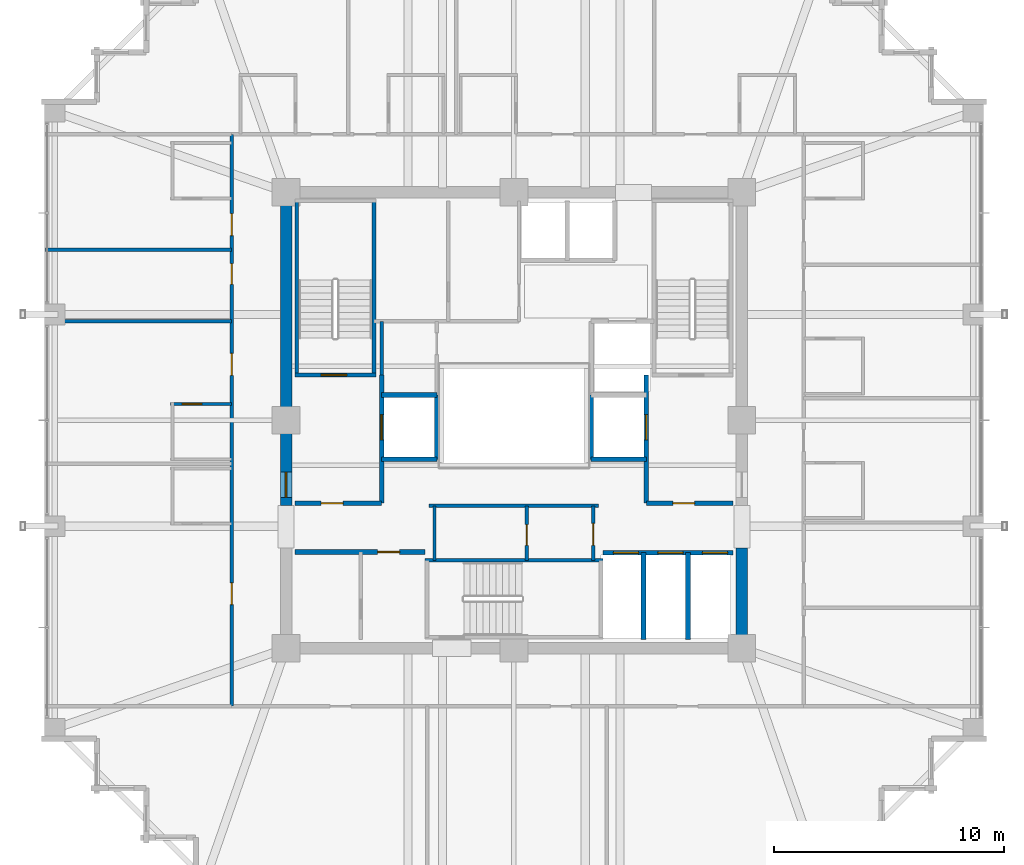
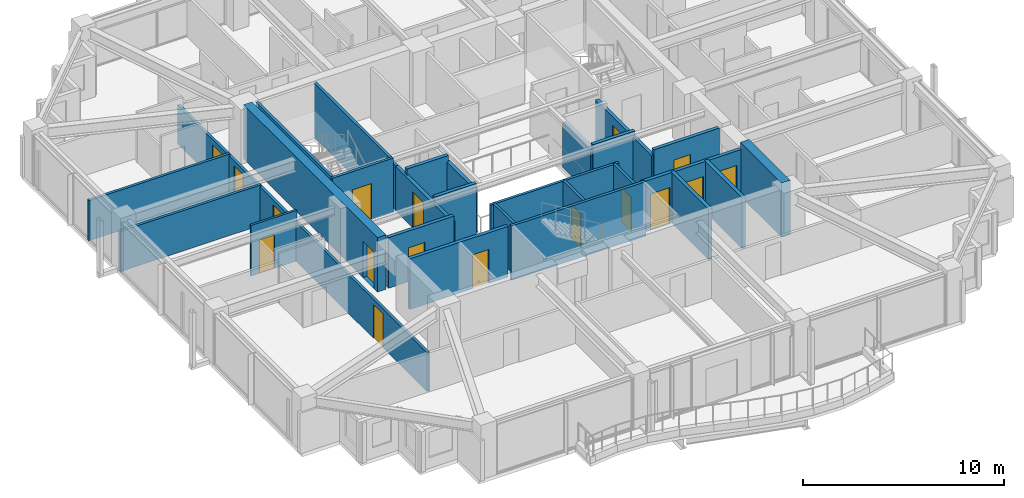
# One storey, part 32 of 37: 28 walls, 17 doors, 17 openings.
"""IFC4 building model written with IfcOpenShell, lengths in metres."""

from ifc_helpers import new_model, si_unit, direction, frame, frame_2d, origin, place, context, subcontext, project, spatial, rectangle, extrude, material, layer, layer_set, type_object, element, fill, save


model = new_model("IFC4")

# Units and contexts
model_context = context("Model", 3, precision=1e-05, world=origin(), true_north=direction((0.0, 1.0)))
body_context = subcontext(model_context, "Body", "Model", "MODEL_VIEW")
ifc_project = project(units=[si_unit("LENGTHUNIT", "METRE"), si_unit("AREAUNIT", "SQUARE_METRE"), si_unit("VOLUMEUNIT", "CUBIC_METRE"), si_unit("PLANEANGLEUNIT", "RADIAN"), si_unit("MASSUNIT", "GRAM", prefix="KILO")], contexts=[model_context])

# Site, building, storey
site_placement = place(None, origin())
site = spatial("IfcSite", under=ifc_project, at=site_placement, CompositionType="ELEMENT")
building_placement = place(site_placement, origin())
building = spatial("IfcBuilding", under=site, at=building_placement, Name="Kolvaren Belvedere", CompositionType="ELEMENT")
storey_placement = place(building_placement, frame((0.0, 0.0, 180.0)))
storey = spatial("IfcBuildingStorey", under=building, at=storey_placement, Name="L52", CompositionType="ELEMENT", Elevation=180.0)

# Wall
ifc_material_1 = material(Name="Concrete C50/60", Category="concrete")
ifc_layer_1 = layer(ifc_material_1, 0.5)
ifc_layer_set_1 = layer_set([ifc_layer_1], Name="Concrete C50/60")
wall_type_1 = type_object("IfcWallType", Name="CW-CORE-500", PredefinedType="SHEAR", material=ifc_layer_set_1)
wall_1_placement = place(storey_placement, frame((9.89990234375, -9.64990234375, 0.0), z_axis=(0.0, 0.0, 1.0), x_axis=(0.0, 1.0, 0.0)))
element("IfcWall", 1, at=wall_1_placement, inside=storey, type_object=wall_type_1, Name="L52 East Core Shear Wall 1", PredefinedType="SHEAR", context=body_context, shape_type="SweptSolid", body=[
    extrude(rectangle(XDim=4.099853515625, YDim=0.5, at=frame_2d((2.0498046875, 0.0))), origin(), (0.0, 0.0, 1.0), 3.300048828125),
])

# Wall, opening, door
wall_2_placement = place(storey_placement, frame((-9.89990234375, -3.699951171875, 0.0), z_axis=(0.0, 0.0, 1.0), x_axis=(0.0, 1.0, 0.0)))
wall_2 = element("IfcWall", 2, at=wall_2_placement, inside=storey, type_object=wall_type_1, Name="L52 West Core Shear Wall 2", PredefinedType="SHEAR", context=body_context, shape_type="SweptSolid", body=[
    extrude(rectangle(XDim=13.349853515625, YDim=0.5, at=frame_2d((6.6748046875, 0.0))), origin(), (0.0, 0.0, 1.0), 3.300048828125),
])
opening_1_placement = place(wall_2_placement, frame((0.35009765625, 0.0, 0.0)))
opening_1 = element("IfcOpeningElement", 3, at=opening_1_placement, cuts=wall_2, Name="Opening D-FD90", PredefinedType="OPENING", context=body_context, shape_type="SweptSolid", body=[
    extrude(rectangle(XDim=1.10009765625, YDim=2.199951171875, at=frame_2d((0.550048828125, 1.10009765625))), frame((0.0, 0.260009765625, 0.0), z_axis=(0.0, -1.0, 0.0), x_axis=(1.0, 0.0, 0.0)), (0.0, 0.0, 1.0), 0.52001953125),
])
ifc_material_2 = material(Name="Painted hollow stainless steel", Category="steel")
door_type_1 = type_object("IfcDoorType", Name="DR-FD90-1100", OperationType="NOTDEFINED", PredefinedType="DOOR", material=ifc_material_2)
door_1_placement = place(opening_1_placement, origin())
door_1 = element("IfcDoor", 4, at=door_1_placement, inside=storey, type_object=door_type_1, Name="L52 West Firefighting Lobby Fire Door", OperationType="SINGLE_SWING_LEFT", OverallHeight=2.199951171875, OverallWidth=1.10009765625, PredefinedType="DOOR", context=body_context, shape_type="SweptSolid", body=[
    extrude(rectangle(XDim=1.10009765625, YDim=2.199951171875, at=frame_2d((0.550048828125, 1.10009765625))), frame((0.0, 0.02490234375, 0.0), z_axis=(0.0, -1.0, 0.0), x_axis=(1.0, 0.0, 0.0)), (0.0, 0.0, 1.0), 0.050048828125),
])
fill(opening_1, door_1)

ifc_material_3 = material(Name="Concrete C50/60", Category="concrete")
ifc_layer_2 = layer(ifc_material_3, 0.159912109375)
ifc_layer_set_2 = layer_set([ifc_layer_2], Name="Concrete C50/60")
wall_type_2 = type_object("IfcWallType", Name="CW-STAIR-160", PredefinedType="SHEAR", material=ifc_layer_set_2)
wall_3_placement = place(storey_placement, frame((-9.52001953125, 1.969970703125, 0.0), z_axis=(0.0, 0.0, 1.0), x_axis=(1.0, 0.0, 0.0)))
wall_3 = element("IfcWall", 5, at=wall_3_placement, inside=storey, type_object=wall_type_2, Name="L52 Stair ST-1 South Shear Wall", PredefinedType="SHEAR", context=body_context, shape_type="SweptSolid", body=[
    extrude(rectangle(XDim=3.52001953125, YDim=0.159912109375, at=frame_2d((1.760009765625, 0.0))), origin(), (0.0, 0.0, 1.0), 3.300048828125),
])
opening_2_placement = place(wall_3_placement, frame((1.14990234375, 0.0, 0.0)))
opening_2 = element("IfcOpeningElement", 6, at=opening_2_placement, cuts=wall_3, Name="Opening D-FD90", PredefinedType="OPENING", context=body_context, shape_type="SweptSolid", body=[
    extrude(rectangle(XDim=1.10009765625, YDim=2.199951171875, at=frame_2d((0.550048828125, 1.10009765625))), frame((0.0, 0.08984375, 0.0), z_axis=(0.0, -1.0, 0.0), x_axis=(1.0, 0.0, 0.0)), (0.0, 0.0, 1.0), 0.179931640625),
])
door_2_placement = place(opening_2_placement, origin())
door_2 = element("IfcDoor", 7, at=door_2_placement, inside=storey, type_object=door_type_1, Name="L52 Stair ST-1 Fire Door", OperationType="SINGLE_SWING_LEFT", OverallHeight=2.199951171875, OverallWidth=1.10009765625, PredefinedType="DOOR", context=body_context, shape_type="SweptSolid", body=[
    extrude(rectangle(XDim=1.10009765625, YDim=2.199951171875, at=frame_2d((0.550048828125, 1.10009765625))), frame((0.0, 0.02490234375, 0.0), z_axis=(0.0, -1.0, 0.0), x_axis=(1.0, 0.0, 0.0)), (0.0, 0.0, 1.0), 0.050048828125),
])
fill(opening_2, door_2)

# Walls
for number, where, z_axis, x_axis, name in (
    (8, (-9.429931640625, 1.969970703125, 0.0), (0.0, 0.0, 1.0), (0.0, 1.0, 0.0), "L52 Stair ST-1 West Shear Wall"),
    (9, (-6.080078125, 1.969970703125, 0.0), (0.0, 0.0, 1.0), (0.0, 1.0, 0.0), "L52 Stair ST-1 East Shear Wall"),
):
    element("IfcWall", number, at=place(storey_placement, frame(where, z_axis=z_axis, x_axis=x_axis)), inside=storey, type_object=wall_type_2, Name=name, PredefinedType="SHEAR", context=body_context, shape_type="SweptSolid", body=[
        extrude(rectangle(XDim=7.56005859375, YDim=0.159912109375, at=frame_2d((3.780029296875, 0.0))), origin(), (0.0, 0.0, 1.0), 3.300048828125),
    ])
wall_4_placement = place(storey_placement, frame((-3.860107421875, -6.080078125, 0.0), z_axis=(0.0, 0.0, 1.0), x_axis=(1.0, 0.0, 0.0)))
element("IfcWall", 10, at=wall_4_placement, inside=storey, type_object=wall_type_2, Name="L52 Stair ST-3 North Shear Wall", PredefinedType="SHEAR", context=body_context, shape_type="SweptSolid", body=[
    extrude(rectangle(XDim=7.72021484375, YDim=0.159912109375, at=frame_2d((3.860107421875, 0.0))), origin(), (0.0, 0.0, 1.0), 3.300048828125),
])

# Wall, openings, doors
ifc_material_4 = material(Name="Gypsum fire-rated partition assembly", Category="gypsum")
ifc_layer_3 = layer(ifc_material_4, 0.14990234375)
ifc_layer_set_3 = layer_set([ifc_layer_3], Name="Gypsum fire-rated partition assembly")
wall_type_3 = type_object("IfcWallType", Name="WL-CORR-150", PredefinedType="PARTITIONING", material=ifc_layer_set_3)
wall_5_placement = place(storey_placement, frame((-12.260009765625, -12.419921875, 0.0), z_axis=(0.0, 0.0, 1.0), x_axis=(0.0, 1.0, 0.0)))
wall_5 = element("IfcWall", 11, at=wall_5_placement, inside=storey, type_object=wall_type_3, Name="L52 West Corridor Wall", PredefinedType="PARTITIONING", context=body_context, shape_type="SweptSolid", body=[
    extrude(rectangle(XDim=24.83984375, YDim=0.14990234375, at=frame_2d((12.419921875, 0.0))), origin(), (0.0, 0.0, 1.0), 2.368896484375),
])
opening_3_placement = place(wall_5_placement, frame((4.409912109375, 0.0, 0.0)))
opening_3 = element("IfcOpeningElement", 12, at=opening_3_placement, cuts=wall_5, Name="Opening D-FD60", PredefinedType="OPENING", context=body_context, shape_type="SweptSolid", body=[
    extrude(rectangle(XDim=0.949951171875, YDim=2.06005859375, at=frame_2d((0.47509765625, 1.030029296875))), frame((0.0, 0.0849609375, 0.0), z_axis=(0.0, -1.0, 0.0), x_axis=(1.0, 0.0, 0.0)), (0.0, 0.0, 1.0), 0.169921875),
])
opening_4_placement = place(wall_5_placement, frame((14.37451171875, 0.0, 0.0)))
opening_4 = element("IfcOpeningElement", 13, at=opening_4_placement, cuts=wall_5, Name="Opening D-FD60", PredefinedType="OPENING", context=body_context, shape_type="SweptSolid", body=[
    extrude(rectangle(XDim=0.949951171875, YDim=2.06005859375, at=frame_2d((0.47509765625, 1.030029296875))), frame((0.0, 0.0849609375, 0.0), z_axis=(0.0, -1.0, 0.0), x_axis=(1.0, 0.0, 0.0)), (0.0, 0.0, 1.0), 0.169921875),
])
opening_5_placement = place(wall_5_placement, frame((18.322021484375, 0.0, 0.0)))
opening_5 = element("IfcOpeningElement", 14, at=opening_5_placement, cuts=wall_5, Name="Opening D-INT90", PredefinedType="OPENING", context=body_context, shape_type="SweptSolid", body=[
    extrude(rectangle(XDim=0.89990234375, YDim=2.06005859375, at=frame_2d((0.449951171875, 1.030029296875))), frame((0.0, 0.0849609375, 0.0), z_axis=(0.0, -1.0, 0.0), x_axis=(1.0, 0.0, 0.0)), (0.0, 0.0, 1.0), 0.169921875),
])
opening_6_placement = place(wall_5_placement, frame((20.4423828125, 0.0, 0.0)))
opening_6 = element("IfcOpeningElement", 15, at=opening_6_placement, cuts=wall_5, Name="Opening D-FD60", PredefinedType="OPENING", context=body_context, shape_type="SweptSolid", body=[
    extrude(rectangle(XDim=0.949951171875, YDim=2.06005859375, at=frame_2d((0.47509765625, 1.030029296875))), frame((0.0, 0.0849609375, 0.0), z_axis=(0.0, -1.0, 0.0), x_axis=(1.0, 0.0, 0.0)), (0.0, 0.0, 1.0), 0.169921875),
])
ifc_material_5 = material(Name="Acoustic white-oak fire door leaf", Category="timber")
door_type_2 = type_object("IfcDoorType", Name="DR-FD60-950", OperationType="NOTDEFINED", PredefinedType="DOOR", material=ifc_material_5)
door_3_placement = place(opening_3_placement, origin())
door_3 = element("IfcDoor", 16, at=door_3_placement, inside=storey, type_object=door_type_2, Name="L52 King Guest Room 5209 Entry Door", OperationType="SINGLE_SWING_RIGHT", OverallHeight=2.06005859375, OverallWidth=0.949951171875, PredefinedType="DOOR", context=body_context, shape_type="SweptSolid", body=[
    extrude(rectangle(XDim=0.949951171875, YDim=2.06005859375, at=frame_2d((0.47509765625, 1.030029296875))), frame((0.0, 0.02490234375, 0.0), z_axis=(0.0, -1.0, 0.0), x_axis=(1.0, 0.0, 0.0)), (0.0, 0.0, 1.0), 0.050048828125),
])
fill(opening_3, door_3)
door_4_placement = place(opening_4_placement, origin())
door_4 = element("IfcDoor", 17, at=door_4_placement, inside=storey, type_object=door_type_2, Name="L52 Botanical Hospitality Suite 5210 Entry Door", OperationType="SINGLE_SWING_RIGHT", OverallHeight=2.06005859375, OverallWidth=0.949951171875, PredefinedType="DOOR", context=body_context, shape_type="SweptSolid", body=[
    extrude(rectangle(XDim=0.949951171875, YDim=2.06005859375, at=frame_2d((0.47509765625, 1.030029296875))), frame((0.0, 0.02490234375, 0.0), z_axis=(0.0, -1.0, 0.0), x_axis=(1.0, 0.0, 0.0)), (0.0, 0.0, 1.0), 0.050048828125),
])
fill(opening_4, door_4)
door_5_placement = place(opening_6_placement, origin())
door_5 = element("IfcDoor", 18, at=door_5_placement, inside=storey, type_object=door_type_2, Name="L52 King Guest Room 5212 Entry Door", OperationType="SINGLE_SWING_LEFT", OverallHeight=2.06005859375, OverallWidth=0.949951171875, PredefinedType="DOOR", context=body_context, shape_type="SweptSolid", body=[
    extrude(rectangle(XDim=0.949951171875, YDim=2.06005859375, at=frame_2d((0.47509765625, 1.030029296875))), frame((0.0, 0.02490234375, 0.0), z_axis=(0.0, -1.0, 0.0), x_axis=(1.0, 0.0, 0.0)), (0.0, 0.0, 1.0), 0.050048828125),
])
fill(opening_6, door_5)
ifc_material_6 = material(Name="Stained Pacific white oak", Category="timber")
door_type_3 = type_object("IfcDoorType", Name="DR-INT-900", OperationType="NOTDEFINED", PredefinedType="DOOR", material=ifc_material_6)
door_6_placement = place(opening_5_placement, origin())
door_6 = element("IfcDoor", 19, at=door_6_placement, inside=storey, type_object=door_type_3, Name="L52 Lounge 5211 Door", OperationType="SINGLE_SWING_LEFT", OverallHeight=2.06005859375, OverallWidth=0.89990234375, PredefinedType="DOOR", context=body_context, shape_type="SweptSolid", body=[
    extrude(rectangle(XDim=0.89990234375, YDim=2.06005859375, at=frame_2d((0.449951171875, 1.030029296875))), frame((0.0, 0.02490234375, 0.0), z_axis=(0.0, -1.0, 0.0), x_axis=(1.0, 0.0, 0.0)), (0.0, 0.0, 1.0), 0.050048828125),
])
fill(opening_5, door_6)

# Wall
ifc_material_7 = material(Name="Gypsum acoustic partition assembly", Category="gypsum")
ifc_layer_4 = layer(ifc_material_7, 0.14990234375)
ifc_layer_set_4 = layer_set([ifc_layer_4], Name="Gypsum acoustic partition assembly")
wall_type_4 = type_object("IfcWallType", Name="WL-PART-150", PredefinedType="PARTITIONING", material=ifc_layer_set_4)
wall_6_placement = place(storey_placement, frame((-3.679931640625, -3.719970703125, 0.0), z_axis=(0.0, 0.0, 1.0), x_axis=(1.0, 0.0, 0.0)))
element("IfcWall", 20, at=wall_6_placement, inside=storey, type_object=wall_type_4, Name="L52 South Core Service North Wall", PredefinedType="PARTITIONING", context=body_context, shape_type="SweptSolid", body=[
    extrude(rectangle(XDim=7.35986328125, YDim=0.14990234375, at=frame_2d((3.679931640625, 0.0))), origin(), (0.0, 0.0, 1.0), 3.080078125),
])

# Wall, opening, door
wall_7_placement = place(storey_placement, frame((3.449951171875, -6.080078125, 0.0), z_axis=(0.0, 0.0, 1.0), x_axis=(0.0, 1.0, 0.0)))
wall_7 = element("IfcWall", 21, at=wall_7_placement, inside=storey, type_object=wall_type_4, Name="L52 South Core Service East Wall", PredefinedType="PARTITIONING", context=body_context, shape_type="SweptSolid", body=[
    extrude(rectangle(XDim=2.360107421875, YDim=0.14990234375, at=frame_2d((1.18017578125, 0.0))), origin(), (0.0, 0.0, 1.0), 3.080078125),
])
opening_7_placement = place(wall_7_placement, frame((0.64990234375, 0.0, 0.0)))
opening_7 = element("IfcOpeningElement", 22, at=opening_7_placement, cuts=wall_7, Name="Opening D-FD60", PredefinedType="OPENING", context=body_context, shape_type="SweptSolid", body=[
    extrude(rectangle(XDim=0.949951171875, YDim=2.06005859375, at=frame_2d((0.47509765625, 1.030029296875))), frame((0.0, 0.0849609375, 0.0), z_axis=(0.0, -1.0, 0.0), x_axis=(1.0, 0.0, 0.0)), (0.0, 0.0, 1.0), 0.169921875),
])
door_7_placement = place(opening_7_placement, origin())
door_7 = element("IfcDoor", 23, at=door_7_placement, inside=storey, type_object=door_type_2, Name="L52 Core Service Room Door", OperationType="SINGLE_SWING_LEFT", OverallHeight=2.06005859375, OverallWidth=0.949951171875, PredefinedType="DOOR", context=body_context, shape_type="SweptSolid", body=[
    extrude(rectangle(XDim=0.949951171875, YDim=2.06005859375, at=frame_2d((0.47509765625, 1.030029296875))), frame((0.0, 0.02490234375, 0.0), z_axis=(0.0, -1.0, 0.0), x_axis=(1.0, 0.0, 0.0)), (0.0, 0.0, 1.0), 0.050048828125),
])
fill(opening_7, door_7)

# Wall
wall_8_placement = place(storey_placement, frame((-3.449951171875, -6.080078125, 0.0), z_axis=(0.0, 0.0, 1.0), x_axis=(0.0, 1.0, 0.0)))
element("IfcWall", 24, at=wall_8_placement, inside=storey, type_object=wall_type_4, Name="L52 South Core Service West Wall", PredefinedType="PARTITIONING", context=body_context, shape_type="SweptSolid", body=[
    extrude(rectangle(XDim=2.360107421875, YDim=0.14990234375, at=frame_2d((1.18017578125, 0.0))), origin(), (0.0, 0.0, 1.0), 3.080078125),
])

# Wall, opening, door
wall_9_placement = place(storey_placement, frame((0.550048828125, -6.080078125, 0.0), z_axis=(0.0, 0.0, 1.0), x_axis=(0.0, 1.0, 0.0)))
wall_9 = element("IfcWall", 25, at=wall_9_placement, inside=storey, type_object=wall_type_4, Name="L52 Core Service Divider", PredefinedType="PARTITIONING", context=body_context, shape_type="SweptSolid", body=[
    extrude(rectangle(XDim=2.360107421875, YDim=0.14990234375, at=frame_2d((1.18017578125, 0.0))), origin(), (0.0, 0.0, 1.0), 3.080078125),
])
opening_8_placement = place(wall_9_placement, frame((0.64990234375, 0.0, 0.0)))
opening_8 = element("IfcOpeningElement", 26, at=opening_8_placement, cuts=wall_9, Name="Opening D-INT90", PredefinedType="OPENING", context=body_context, shape_type="SweptSolid", body=[
    extrude(rectangle(XDim=0.89990234375, YDim=2.06005859375, at=frame_2d((0.449951171875, 1.030029296875))), frame((0.0, 0.0849609375, 0.0), z_axis=(0.0, -1.0, 0.0), x_axis=(1.0, 0.0, 0.0)), (0.0, 0.0, 1.0), 0.169921875),
])
door_8_placement = place(opening_8_placement, origin())
door_8 = element("IfcDoor", 27, at=door_8_placement, inside=storey, type_object=door_type_3, Name="L52 BMS Inner Door", OperationType="SINGLE_SWING_LEFT", OverallHeight=2.06005859375, OverallWidth=0.89990234375, PredefinedType="DOOR", context=body_context, shape_type="SweptSolid", body=[
    extrude(rectangle(XDim=0.89990234375, YDim=2.06005859375, at=frame_2d((0.449951171875, 1.030029296875))), frame((0.0, 0.02490234375, 0.0), z_axis=(0.0, -1.0, 0.0), x_axis=(1.0, 0.0, 0.0)), (0.0, 0.0, 1.0), 0.050048828125),
])
fill(opening_8, door_8)

# Walls
wall_10_placement = place(storey_placement, frame((-5.75, 1.969970703125, 0.0), z_axis=(0.0, 0.0, 1.0), x_axis=(0.0, 1.0, 0.0)))
element("IfcWall", 28, at=wall_10_placement, inside=storey, type_object=wall_type_4, Name="L52 NW Service Room West Wall", PredefinedType="PARTITIONING", context=body_context, shape_type="SweptSolid", body=[
    extrude(rectangle(XDim=2.330078125, YDim=0.14990234375, at=frame_2d((1.1650390625, 0.0))), origin(), (0.0, 0.0, 1.0), 2.715087890625),
])
for number, where, z_axis, x_axis, name in (
    (29, (-20.3798828125, 4.303955078125, 0.0), (0.0, 0.0, 1.0), (1.0, 0.0, 0.0), "L52 West Suite Demising Wall 2"),
    (30, (-20.3798828125, 7.404052734375, 0.0), (0.0, 0.0, 1.0), (1.0, 0.0, 0.0), "L52 West Suite Demising Wall 3"),
):
    element("IfcWall", number, at=place(storey_placement, frame(where, z_axis=z_axis, x_axis=x_axis)), inside=storey, type_object=wall_type_4, Name=name, PredefinedType="PARTITIONING", context=body_context, shape_type="SweptSolid", body=[
        extrude(rectangle(XDim=8.119873046875, YDim=0.14990234375, at=frame_2d((4.06005859375, 0.0))), origin(), (0.0, 0.0, 1.0), 2.452880859375),
    ])

# Wall, opening, door
ifc_material_8 = material(Name="Concrete C50/60", Category="concrete")
ifc_layer_5 = layer(ifc_material_8, 0.199951171875)
ifc_layer_set_5 = layer_set([ifc_layer_5], Name="Concrete C50/60")
wall_type_5 = type_object("IfcWallType", Name="WL-SHAFT-200", PredefinedType="SOLIDWALL", material=ifc_layer_set_5)
wall_11_placement = place(storey_placement, frame((-9.52001953125, -3.60009765625, 0.0), z_axis=(0.0, 0.0, 1.0), x_axis=(1.0, 0.0, 0.0)))
wall_11 = element("IfcWall", 31, at=wall_11_placement, inside=storey, type_object=wall_type_5, Name="L52 West FSAE Lobby South Wall", PredefinedType="SOLIDWALL", context=body_context, shape_type="SweptSolid", body=[
    extrude(rectangle(XDim=3.77001953125, YDim=0.199951171875, at=frame_2d((1.885009765625, 0.0))), origin(), (0.0, 0.0, 1.0), 3.080078125),
])
opening_9_placement = place(wall_11_placement, frame((1.14990234375, 0.0, 0.0)))
opening_9 = element("IfcOpeningElement", 32, at=opening_9_placement, cuts=wall_11, Name="Opening D-FD60", PredefinedType="OPENING", context=body_context, shape_type="SweptSolid", body=[
    extrude(rectangle(XDim=0.949951171875, YDim=2.06005859375, at=frame_2d((0.47509765625, 1.030029296875))), frame((0.0, 0.10986328125, 0.0), z_axis=(0.0, -1.0, 0.0), x_axis=(1.0, 0.0, 0.0)), (0.0, 0.0, 1.0), 0.219970703125),
])
door_9_placement = place(opening_9_placement, origin())
door_9 = element("IfcDoor", 33, at=door_9_placement, inside=storey, type_object=door_type_2, Name="L52 SW Lobby Fire Door", OperationType="SINGLE_SWING_LEFT", OverallHeight=2.06005859375, OverallWidth=0.949951171875, PredefinedType="DOOR", context=body_context, shape_type="SweptSolid", body=[
    extrude(rectangle(XDim=0.949951171875, YDim=2.06005859375, at=frame_2d((0.47509765625, 1.030029296875))), frame((0.0, 0.02490234375, 0.0), z_axis=(0.0, -1.0, 0.0), x_axis=(1.0, 0.0, 0.0)), (0.0, 0.0, 1.0), 0.050048828125),
])
fill(opening_9, door_9)

wall_12_placement = place(storey_placement, frame((-5.75, -3.60009765625, 0.0), z_axis=(0.0, 0.0, 1.0), x_axis=(0.0, 1.0, 0.0)))
wall_12 = element("IfcWall", 34, at=wall_12_placement, inside=storey, type_object=wall_type_5, Name="L52 FSAE FS1 Landing Wall", PredefinedType="SOLIDWALL", context=body_context, shape_type="SweptSolid", body=[
    extrude(rectangle(XDim=5.570068359375, YDim=0.199951171875, at=frame_2d((2.78515625, 0.0))), origin(), (0.0, 0.0, 1.0), 2.715087890625),
])
opening_10_placement = place(wall_12_placement, frame((2.75, 0.0, 0.0)))
opening_10 = element("IfcOpeningElement", 35, at=opening_10_placement, cuts=wall_12, Name="Opening LD-11", PredefinedType="OPENING", context=body_context, shape_type="SweptSolid", body=[
    extrude(rectangle(XDim=1.10009765625, YDim=2.199951171875, at=frame_2d((0.550048828125, 1.10009765625))), frame((0.0, 0.10986328125, 0.0), z_axis=(0.0, -1.0, 0.0), x_axis=(1.0, 0.0, 0.0)), (0.0, 0.0, 1.0), 0.219970703125),
])
ifc_material_9 = material(Name="Brushed stainless steel", Category="steel")
door_type_4 = type_object("IfcDoorType", Name="DR-LIFT-1100", OperationType="DOUBLE_DOOR_SLIDING", PredefinedType="DOOR", material=ifc_material_9)
door_10_placement = place(opening_10_placement, origin())
door_10 = element("IfcDoor", 36, at=door_10_placement, inside=storey, type_object=door_type_4, Name="L52 Firefighting Lift FS1 Landing Door", OperationType="DOUBLE_DOOR_SLIDING", OverallHeight=2.199951171875, OverallWidth=1.10009765625, PredefinedType="DOOR", context=body_context, shape_type="SweptSolid", body=[
    extrude(rectangle(XDim=1.10009765625, YDim=2.199951171875, at=frame_2d((0.550048828125, 1.10009765625))), frame((0.0, 0.02490234375, 0.0), z_axis=(0.0, -1.0, 0.0), x_axis=(1.0, 0.0, 0.0)), (0.0, 0.0, 1.0), 0.050048828125),
])
fill(opening_10, door_10)

# Walls
wall_13_placement = place(storey_placement, frame((-3.35009765625, -1.699951171875, 0.0), z_axis=(0.0, 0.0, 1.0), x_axis=(0.0, 1.0, 0.0)))
element("IfcWall", 37, at=wall_13_placement, inside=storey, type_object=wall_type_5, Name="L52 FSAE FS1 Back Wall", PredefinedType="SOLIDWALL", context=body_context, shape_type="SweptSolid", body=[
    extrude(rectangle(XDim=2.800048828125, YDim=0.199951171875, at=frame_2d((1.39990234375, 0.0))), origin(), (0.0, 0.0, 1.0), 2.715087890625),
])
for number, where, z_axis, x_axis, name in (
    (38, (-5.75, -1.699951171875, 0.0), (0.0, 0.0, 1.0), (1.0, 0.0, 0.0), "L52 FSAE FS1 South Wall"),
    (39, (-5.75, 1.10009765625, 0.0), (0.0, 0.0, 1.0), (1.0, 0.0, 0.0), "L52 FSAE FS1 North Wall"),
):
    element("IfcWall", number, at=place(storey_placement, frame(where, z_axis=z_axis, x_axis=x_axis)), inside=storey, type_object=wall_type_5, Name=name, PredefinedType="SOLIDWALL", context=body_context, shape_type="SweptSolid", body=[
        extrude(rectangle(XDim=2.39990234375, YDim=0.199951171875, at=frame_2d((1.199951171875, 0.0))), origin(), (0.0, 0.0, 1.0), 3.080078125),
    ])

# Wall, opening, door
wall_14_placement = place(storey_placement, frame((5.75, -3.60009765625, 0.0), z_axis=(0.0, 0.0, 1.0), x_axis=(1.0, 0.0, 0.0)))
wall_14 = element("IfcWall", 40, at=wall_14_placement, inside=storey, type_object=wall_type_5, Name="L52 East FSAE Lobby South Wall", PredefinedType="SOLIDWALL", context=body_context, shape_type="SweptSolid", body=[
    extrude(rectangle(XDim=3.77001953125, YDim=0.199951171875, at=frame_2d((1.885009765625, 0.0))), origin(), (0.0, 0.0, 1.0), 3.080078125),
])
opening_11_placement = place(wall_14_placement, frame((1.14990234375, 0.0, 0.0)))
opening_11 = element("IfcOpeningElement", 41, at=opening_11_placement, cuts=wall_14, Name="Opening D-FD60", PredefinedType="OPENING", context=body_context, shape_type="SweptSolid", body=[
    extrude(rectangle(XDim=0.949951171875, YDim=2.06005859375, at=frame_2d((0.47509765625, 1.030029296875))), frame((0.0, 0.10986328125, 0.0), z_axis=(0.0, -1.0, 0.0), x_axis=(1.0, 0.0, 0.0)), (0.0, 0.0, 1.0), 0.219970703125),
])
door_11_placement = place(opening_11_placement, origin())
door_11 = element("IfcDoor", 42, at=door_11_placement, inside=storey, type_object=door_type_2, Name="L52 SE Lift Lobby Fire Door", OperationType="SINGLE_SWING_RIGHT", OverallHeight=2.06005859375, OverallWidth=0.949951171875, PredefinedType="DOOR", context=body_context, shape_type="SweptSolid", body=[
    extrude(rectangle(XDim=0.949951171875, YDim=2.06005859375, at=frame_2d((0.47509765625, 1.030029296875))), frame((0.0, 0.02490234375, 0.0), z_axis=(0.0, -1.0, 0.0), x_axis=(1.0, 0.0, 0.0)), (0.0, 0.0, 1.0), 0.050048828125),
])
fill(opening_11, door_11)

wall_15_placement = place(storey_placement, frame((5.75, -3.60009765625, 0.0), z_axis=(0.0, 0.0, 1.0), x_axis=(0.0, 1.0, 0.0)))
wall_15 = element("IfcWall", 43, at=wall_15_placement, inside=storey, type_object=wall_type_5, Name="L52 FSAE FS2 Landing Wall", PredefinedType="SOLIDWALL", context=body_context, shape_type="SweptSolid", body=[
    extrude(rectangle(XDim=5.570068359375, YDim=0.199951171875, at=frame_2d((2.78515625, 0.0))), origin(), (0.0, 0.0, 1.0), 2.715087890625),
])
opening_12_placement = place(wall_15_placement, frame((2.75, 0.0, 0.0)))
opening_12 = element("IfcOpeningElement", 44, at=opening_12_placement, cuts=wall_15, Name="Opening LD-11", PredefinedType="OPENING", context=body_context, shape_type="SweptSolid", body=[
    extrude(rectangle(XDim=1.10009765625, YDim=2.199951171875, at=frame_2d((0.550048828125, 1.10009765625))), frame((0.0, 0.10986328125, 0.0), z_axis=(0.0, -1.0, 0.0), x_axis=(1.0, 0.0, 0.0)), (0.0, 0.0, 1.0), 0.219970703125),
])
door_12_placement = place(opening_12_placement, origin())
door_12 = element("IfcDoor", 45, at=door_12_placement, inside=storey, type_object=door_type_4, Name="L52 Firefighting Lift FS2 Landing Door", OperationType="DOUBLE_DOOR_SLIDING", OverallHeight=2.199951171875, OverallWidth=1.10009765625, PredefinedType="DOOR", context=body_context, shape_type="SweptSolid", body=[
    extrude(rectangle(XDim=1.10009765625, YDim=2.199951171875, at=frame_2d((0.550048828125, 1.10009765625))), frame((0.0, 0.02490234375, 0.0), z_axis=(0.0, -1.0, 0.0), x_axis=(1.0, 0.0, 0.0)), (0.0, 0.0, 1.0), 0.050048828125),
])
fill(opening_12, door_12)

# Walls
wall_16_placement = place(storey_placement, frame((3.35009765625, -1.699951171875, 0.0), z_axis=(0.0, 0.0, 1.0), x_axis=(0.0, 1.0, 0.0)))
element("IfcWall", 46, at=wall_16_placement, inside=storey, type_object=wall_type_5, Name="L52 FSAE FS2 Back Wall", PredefinedType="SOLIDWALL", context=body_context, shape_type="SweptSolid", body=[
    extrude(rectangle(XDim=2.800048828125, YDim=0.199951171875, at=frame_2d((1.39990234375, 0.0))), origin(), (0.0, 0.0, 1.0), 2.715087890625),
])
wall_17_placement = place(storey_placement, frame((3.35009765625, -1.699951171875, 0.0), z_axis=(0.0, 0.0, 1.0), x_axis=(1.0, 0.0, 0.0)))
element("IfcWall", 47, at=wall_17_placement, inside=storey, type_object=wall_type_5, Name="L52 FSAE FS2 South Wall", PredefinedType="SOLIDWALL", context=body_context, shape_type="SweptSolid", body=[
    extrude(rectangle(XDim=2.39990234375, YDim=0.199951171875, at=frame_2d((1.199951171875, 0.0))), origin(), (0.0, 0.0, 1.0), 3.080078125),
])

# Wall, opening, door
wall_18_placement = place(storey_placement, frame((-9.52001953125, -5.719970703125, 0.0), z_axis=(0.0, 0.0, 1.0), x_axis=(1.0, 0.0, 0.0)))
wall_18 = element("IfcWall", 48, at=wall_18_placement, inside=storey, type_object=wall_type_5, Name="L52 Reclaimed Mid Room North Wall", PredefinedType="SOLIDWALL", context=body_context, shape_type="SweptSolid", body=[
    extrude(rectangle(XDim=5.659912109375, YDim=0.199951171875, at=frame_2d((2.830078125, 0.0))), origin(), (0.0, 0.0, 1.0), 3.080078125),
])
opening_13_placement = place(wall_18_placement, frame((3.60009765625, 0.0, 0.0)))
opening_13 = element("IfcOpeningElement", 49, at=opening_13_placement, cuts=wall_18, Name="Opening D-FD60", PredefinedType="OPENING", context=body_context, shape_type="SweptSolid", body=[
    extrude(rectangle(XDim=0.949951171875, YDim=2.06005859375, at=frame_2d((0.47509765625, 1.030029296875))), frame((0.0, 0.10986328125, 0.0), z_axis=(0.0, -1.0, 0.0), x_axis=(1.0, 0.0, 0.0)), (0.0, 0.0, 1.0), 0.219970703125),
])
door_13_placement = place(opening_13_placement, origin())
door_13 = element("IfcDoor", 50, at=door_13_placement, inside=storey, type_object=door_type_2, Name="L52 Study Entry Door", OperationType="SINGLE_SWING_LEFT", OverallHeight=2.06005859375, OverallWidth=0.949951171875, PredefinedType="DOOR", context=body_context, shape_type="SweptSolid", body=[
    extrude(rectangle(XDim=0.949951171875, YDim=2.06005859375, at=frame_2d((0.47509765625, 1.030029296875))), frame((0.0, 0.02490234375, 0.0), z_axis=(0.0, -1.0, 0.0), x_axis=(1.0, 0.0, 0.0)), (0.0, 0.0, 1.0), 0.050048828125),
])
fill(opening_13, door_13)

# Wall, openings, doors
wall_19_placement = place(storey_placement, frame((3.860107421875, -5.75, 0.0), z_axis=(0.0, 0.0, 1.0), x_axis=(1.0, 0.0, 0.0)))
wall_19 = element("IfcWall", 51, at=wall_19_placement, inside=storey, type_object=wall_type_5, Name="L52 High-Rise Lift Bank Front Wall", PredefinedType="SOLIDWALL", context=body_context, shape_type="SweptSolid", body=[
    extrude(rectangle(XDim=5.659912109375, YDim=0.199951171875, at=frame_2d((2.830078125, 0.0))), origin(), (0.0, 0.0, 1.0), 3.080078125),
])
opening_14_placement = place(wall_19_placement, frame((0.4599609375, 0.0, 0.0)))
opening_14 = element("IfcOpeningElement", 52, at=opening_14_placement, cuts=wall_19, Name="Opening LD-11", PredefinedType="OPENING", context=body_context, shape_type="SweptSolid", body=[
    extrude(rectangle(XDim=1.10009765625, YDim=2.199951171875, at=frame_2d((0.550048828125, 1.10009765625))), frame((0.0, 0.10986328125, 0.0), z_axis=(0.0, -1.0, 0.0), x_axis=(1.0, 0.0, 0.0)), (0.0, 0.0, 1.0), 0.219970703125),
])
opening_15_placement = place(wall_19_placement, frame((2.389892578125, 0.0, 0.0)))
opening_15 = element("IfcOpeningElement", 53, at=opening_15_placement, cuts=wall_19, Name="Opening LD-11", PredefinedType="OPENING", context=body_context, shape_type="SweptSolid", body=[
    extrude(rectangle(XDim=1.10009765625, YDim=2.199951171875, at=frame_2d((0.550048828125, 1.10009765625))), frame((0.0, 0.10986328125, 0.0), z_axis=(0.0, -1.0, 0.0), x_axis=(1.0, 0.0, 0.0)), (0.0, 0.0, 1.0), 0.219970703125),
])
opening_16_placement = place(wall_19_placement, frame((4.320068359375, 0.0, 0.0)))
opening_16 = element("IfcOpeningElement", 54, at=opening_16_placement, cuts=wall_19, Name="Opening LD-11", PredefinedType="OPENING", context=body_context, shape_type="SweptSolid", body=[
    extrude(rectangle(XDim=1.10009765625, YDim=2.199951171875, at=frame_2d((0.550048828125, 1.10009765625))), frame((0.0, 0.10986328125, 0.0), z_axis=(0.0, -1.0, 0.0), x_axis=(1.0, 0.0, 0.0)), (0.0, 0.0, 1.0), 0.219970703125),
])
door_14_placement = place(opening_14_placement, origin())
door_14 = element("IfcDoor", 55, at=door_14_placement, inside=storey, type_object=door_type_4, Name="L52 Passenger Lift P7 Landing Door", OperationType="DOUBLE_DOOR_SLIDING", OverallHeight=2.199951171875, OverallWidth=1.10009765625, PredefinedType="DOOR", context=body_context, shape_type="SweptSolid", body=[
    extrude(rectangle(XDim=1.10009765625, YDim=2.199951171875, at=frame_2d((0.550048828125, 1.10009765625))), frame((0.0, 0.02490234375, 0.0), z_axis=(0.0, -1.0, 0.0), x_axis=(1.0, 0.0, 0.0)), (0.0, 0.0, 1.0), 0.050048828125),
])
fill(opening_14, door_14)
door_15_placement = place(opening_15_placement, origin())
door_15 = element("IfcDoor", 56, at=door_15_placement, inside=storey, type_object=door_type_4, Name="L52 Passenger Lift P8 Landing Door", OperationType="DOUBLE_DOOR_SLIDING", OverallHeight=2.199951171875, OverallWidth=1.10009765625, PredefinedType="DOOR", context=body_context, shape_type="SweptSolid", body=[
    extrude(rectangle(XDim=1.10009765625, YDim=2.199951171875, at=frame_2d((0.550048828125, 1.10009765625))), frame((0.0, 0.02490234375, 0.0), z_axis=(0.0, -1.0, 0.0), x_axis=(1.0, 0.0, 0.0)), (0.0, 0.0, 1.0), 0.050048828125),
])
fill(opening_15, door_15)
door_16_placement = place(opening_16_placement, origin())
door_16 = element("IfcDoor", 57, at=door_16_placement, inside=storey, type_object=door_type_4, Name="L52 Passenger Lift P9 Landing Door", OperationType="DOUBLE_DOOR_SLIDING", OverallHeight=2.199951171875, OverallWidth=1.10009765625, PredefinedType="DOOR", context=body_context, shape_type="SweptSolid", body=[
    extrude(rectangle(XDim=1.10009765625, YDim=2.199951171875, at=frame_2d((0.550048828125, 1.10009765625))), frame((0.0, 0.02490234375, 0.0), z_axis=(0.0, -1.0, 0.0), x_axis=(1.0, 0.0, 0.0)), (0.0, 0.0, 1.0), 0.050048828125),
])
fill(opening_16, door_16)

# Walls
for number, where, z_axis, x_axis, name in (
    (58, (5.6298828125, -9.52001953125, 0.0), (0.0, 0.0, 1.0), (0.0, 1.0, 0.0), "L52 High-Rise Hoistway Divider 1"),
    (59, (7.56005859375, -9.52001953125, 0.0), (0.0, 0.0, 1.0), (0.0, 1.0, 0.0), "L52 High-Rise Hoistway Divider 2"),
):
    element("IfcWall", number, at=place(storey_placement, frame(where, z_axis=z_axis, x_axis=x_axis)), inside=storey, type_object=wall_type_5, Name=name, PredefinedType="SOLIDWALL", context=body_context, shape_type="SweptSolid", body=[
        extrude(rectangle(XDim=3.77001953125, YDim=0.199951171875, at=frame_2d((1.885009765625, 0.0))), origin(), (0.0, 0.0, 1.0), 3.080078125),
    ])

# Wall, opening, door
ifc_material_10 = material(Name="Moisture-resistant gypsum partition", Category="gypsum")
ifc_layer_6 = layer(ifc_material_10, 0.125)
ifc_layer_set_6 = layer_set([ifc_layer_6], Name="Moisture-resistant gypsum partition")
wall_type_6 = type_object("IfcWallType", Name="WL-WET-125", PredefinedType="PARTITIONING", material=ifc_layer_set_6)
wall_20_placement = place(storey_placement, frame((-14.9150390625, 0.708984375, 0.0), z_axis=(0.0, 0.0, 1.0), x_axis=(1.0, 0.0, 0.0)))
wall_20 = element("IfcWall", 60, at=wall_20_placement, inside=storey, type_object=wall_type_6, Name="L52 Bathroom Partition PW-L52-BTH-10-N", PredefinedType="PARTITIONING", context=body_context, shape_type="SweptSolid", body=[
    extrude(rectangle(XDim=2.64013671875, YDim=0.125, at=frame_2d((1.320068359375, 0.0))), origin(), (0.0, 0.0, 1.0), 3.080078125),
])
opening_17_placement = place(wall_20_placement, frame((0.5, 0.0, 0.0)))
opening_17 = element("IfcOpeningElement", 61, at=opening_17_placement, cuts=wall_20, Name="Opening D-BTH85", PredefinedType="OPENING", context=body_context, shape_type="SweptSolid", body=[
    extrude(rectangle(XDim=0.85009765625, YDim=2.030029296875, at=frame_2d((0.425048828125, 1.01513671875))), frame((0.0, 0.072509765625, 0.0), z_axis=(0.0, -1.0, 0.0), x_axis=(1.0, 0.0, 0.0)), (0.0, 0.0, 1.0), 0.14501953125),
])
ifc_material_11 = material(Name="Moisture-sealed Pacific white oak", Category="timber")
door_type_5 = type_object("IfcDoorType", Name="DR-BATH-850", OperationType="NOTDEFINED", PredefinedType="DOOR", material=ifc_material_11)
door_17_placement = place(opening_17_placement, origin())
door_17 = element("IfcDoor", 62, at=door_17_placement, inside=storey, type_object=door_type_5, Name="L52 En-Suite Bathroom 5210 Door", OperationType="SINGLE_SWING_LEFT", OverallHeight=2.030029296875, OverallWidth=0.85009765625, PredefinedType="DOOR", context=body_context, shape_type="SweptSolid", body=[
    extrude(rectangle(XDim=0.85009765625, YDim=2.030029296875, at=frame_2d((0.425048828125, 1.01513671875))), frame((0.0, 0.02490234375, 0.0), z_axis=(0.0, -1.0, 0.0), x_axis=(1.0, 0.0, 0.0)), (0.0, 0.0, 1.0), 0.050048828125),
])
fill(opening_17, door_17)

save(model, "model.ifc")
